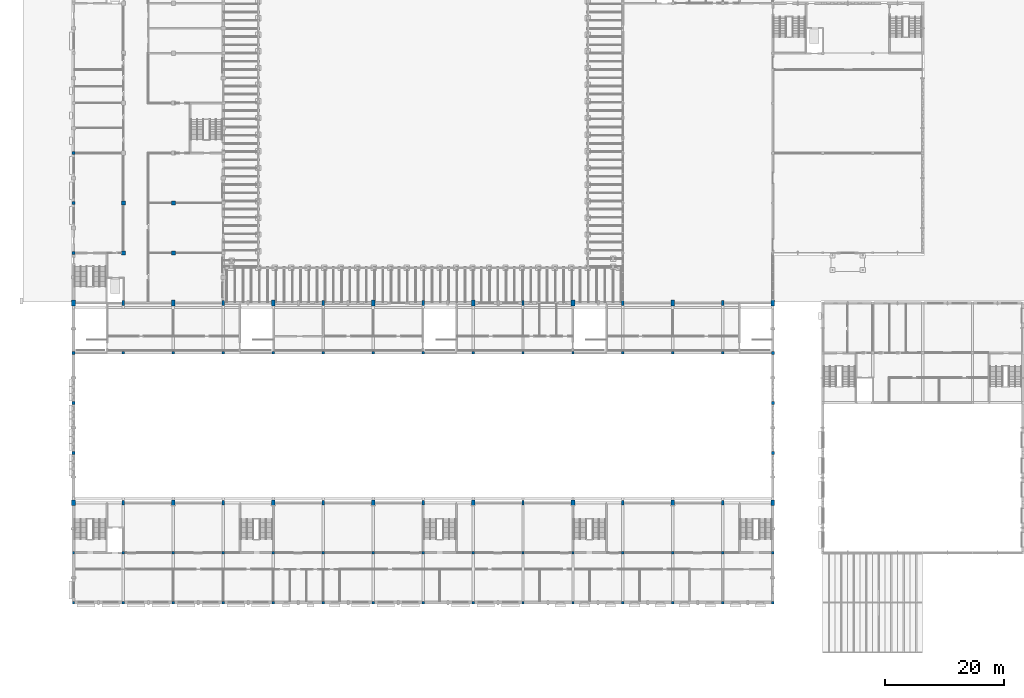
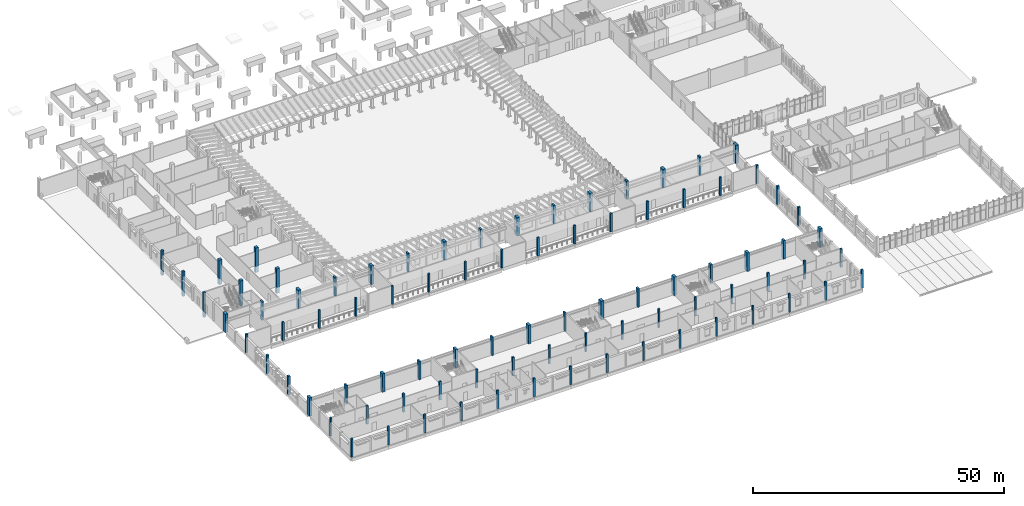
# One storey, part 3 of 60: 86 columns.
"""IFC4 building model written with IfcOpenShell, lengths in metres."""

from ifc_helpers import new_model, si_unit, direction, frame, origin, origin_2d, place, context, subcontext, project, spatial, rectangle, extrude, material, material_profile, profile_set, type_object, element, save


model = new_model("IFC4")

# Units and contexts
model_context = context("Model", 3, precision=1e-05, world=origin(), true_north=direction((0.0, 1.0)))
body_context = subcontext(model_context, "Body", "Model", "MODEL_VIEW")
ifc_project = project(units=[si_unit("LENGTHUNIT", "METRE"), si_unit("AREAUNIT", "SQUARE_METRE"), si_unit("VOLUMEUNIT", "CUBIC_METRE"), si_unit("PLANEANGLEUNIT", "RADIAN"), si_unit("MASSUNIT", "GRAM", prefix="KILO")], contexts=[model_context])

# Site, building, storey
site_placement = place(None, origin())
site = spatial("IfcSite", under=ifc_project, at=site_placement, CompositionType="ELEMENT")
building_placement = place(site_placement, origin())
building = spatial("IfcBuilding", under=site, at=building_placement, Name="Fescue Hill Polytechnic", CompositionType="ELEMENT")
storey_placement = place(building_placement, frame((0.0, 0.0, 4.5)))
storey = spatial("IfcBuildingStorey", under=building, at=storey_placement, Name="L01", CompositionType="ELEMENT", Elevation=4.5)

# Columns
ifc_material = material(Name="Concrete 40 MPa", Category="concrete")
ifc_material_profile_1 = material_profile(ifc_material, rectangle(XDim=0.39990234375, YDim=0.39990234375, at=origin_2d()), Name="RC 400x400")
ifc_profile_set_1 = profile_set([ifc_material_profile_1], Name="Concrete 40 MPa")
column_type_1 = type_object("IfcColumnType", Name="Column RC 400x400", PredefinedType="COLUMN", material=ifc_profile_set_1)
for number, where, z_axis, x_axis, name in (
    (1, (0.0, 0.0, 0.0), (0.0, 0.0, 1.0), (1.0, 0.0, 0.0), "COL-L01-V1-001"),
    (2, (0.0, 8.39990234375, 0.0), (0.0, 0.0, 1.0), (1.0, 0.0, 0.0), "COL-L01-V1-002"),
    (3, (8.39990234375, 0.0, 0.0), (0.0, 0.0, 1.0), (1.0, 0.0, 0.0), "COL-L01-V1-008"),
    (4, (8.39990234375, 8.39990234375, 0.0), (0.0, 0.0, 1.0), (1.0, 0.0, 0.0), "COL-L01-V1-009"),
    (5, (8.39990234375, 42.0, 0.0), (0.0, 0.0, 1.0), (1.0, 0.0, 0.0), "COL-L01-V1-011"),
    (6, (16.800048828125, 0.0, 0.0), (0.0, 0.0, 1.0), (1.0, 0.0, 0.0), "COL-L01-V1-013"),
    (7, (16.800048828125, 8.39990234375, 0.0), (0.0, 0.0, 1.0), (1.0, 0.0, 0.0), "COL-L01-V1-014"),
    (8, (16.800048828125, 42.0, 0.0), (0.0, 0.0, 1.0), (1.0, 0.0, 0.0), "COL-L01-V1-016"),
    (9, (25.199951171875, 0.0, 0.0), (0.0, 0.0, 1.0), (1.0, 0.0, 0.0), "COL-L01-V1-018"),
    (10, (25.199951171875, 8.39990234375, 0.0), (0.0, 0.0, 1.0), (1.0, 0.0, 0.0), "COL-L01-V1-019"),
    (11, (25.199951171875, 42.0, 0.0), (0.0, 0.0, 1.0), (1.0, 0.0, 0.0), "COL-L01-V1-021"),
    (12, (33.60009765625, 0.0, 0.0), (0.0, 0.0, 1.0), (1.0, 0.0, 0.0), "COL-L01-V1-023"),
    (13, (33.60009765625, 8.39990234375, 0.0), (0.0, 0.0, 1.0), (1.0, 0.0, 0.0), "COL-L01-V1-024"),
    (14, (33.60009765625, 42.0, 0.0), (0.0, 0.0, 1.0), (1.0, 0.0, 0.0), "COL-L01-V1-026"),
    (15, (42.0, 0.0, 0.0), (0.0, 0.0, 1.0), (1.0, 0.0, 0.0), "COL-L01-V1-028"),
    (16, (42.0, 8.39990234375, 0.0), (0.0, 0.0, 1.0), (1.0, 0.0, 0.0), "COL-L01-V1-029"),
    (17, (42.0, 42.0, 0.0), (0.0, 0.0, 1.0), (1.0, 0.0, 0.0), "COL-L01-V1-031"),
    (18, (50.39990234375, 0.0, 0.0), (0.0, 0.0, 1.0), (1.0, 0.0, 0.0), "COL-L01-V1-033"),
    (19, (50.39990234375, 8.39990234375, 0.0), (0.0, 0.0, 1.0), (1.0, 0.0, 0.0), "COL-L01-V1-034"),
    (20, (50.39990234375, 42.0, 0.0), (0.0, 0.0, 1.0), (1.0, 0.0, 0.0), "COL-L01-V1-036"),
    (21, (58.800048828125, 0.0, 0.0), (0.0, 0.0, 1.0), (1.0, 0.0, 0.0), "COL-L01-V1-038"),
    (22, (58.800048828125, 8.39990234375, 0.0), (0.0, 0.0, 1.0), (1.0, 0.0, 0.0), "COL-L01-V1-039"),
    (23, (58.800048828125, 42.0, 0.0), (0.0, 0.0, 1.0), (1.0, 0.0, 0.0), "COL-L01-V1-041"),
    (24, (67.199951171875, 0.0, 0.0), (0.0, 0.0, 1.0), (1.0, 0.0, 0.0), "COL-L01-V1-043"),
    (25, (67.199951171875, 8.39990234375, 0.0), (0.0, 0.0, 1.0), (1.0, 0.0, 0.0), "COL-L01-V1-044"),
    (26, (67.199951171875, 42.0, 0.0), (0.0, 0.0, 1.0), (1.0, 0.0, 0.0), "COL-L01-V1-046"),
    (27, (75.60009765625, 0.0, 0.0), (0.0, 0.0, 1.0), (1.0, 0.0, 0.0), "COL-L01-V1-048"),
    (28, (75.60009765625, 8.39990234375, 0.0), (0.0, 0.0, 1.0), (1.0, 0.0, 0.0), "COL-L01-V1-049"),
    (29, (75.60009765625, 42.0, 0.0), (0.0, 0.0, 1.0), (1.0, 0.0, 0.0), "COL-L01-V1-051"),
    (30, (84.0, 0.0, 0.0), (0.0, 0.0, 1.0), (1.0, 0.0, 0.0), "COL-L01-V1-053"),
    (31, (84.0, 8.39990234375, 0.0), (0.0, 0.0, 1.0), (1.0, 0.0, 0.0), "COL-L01-V1-054"),
    (32, (84.0, 42.0, 0.0), (0.0, 0.0, 1.0), (1.0, 0.0, 0.0), "COL-L01-V1-056"),
    (33, (92.39990234375, 0.0, 0.0), (0.0, 0.0, 1.0), (1.0, 0.0, 0.0), "COL-L01-V1-058"),
    (34, (92.39990234375, 8.39990234375, 0.0), (0.0, 0.0, 1.0), (1.0, 0.0, 0.0), "COL-L01-V1-059"),
    (35, (92.39990234375, 42.0, 0.0), (0.0, 0.0, 1.0), (1.0, 0.0, 0.0), "COL-L01-V1-061"),
    (36, (100.800048828125, 0.0, 0.0), (0.0, 0.0, 1.0), (1.0, 0.0, 0.0), "COL-L01-V1-063"),
    (37, (100.800048828125, 8.39990234375, 0.0), (0.0, 0.0, 1.0), (1.0, 0.0, 0.0), "COL-L01-V1-064"),
    (38, (100.800048828125, 42.0, 0.0), (0.0, 0.0, 1.0), (1.0, 0.0, 0.0), "COL-L01-V1-066"),
    (39, (109.199951171875, 0.0, 0.0), (0.0, 0.0, 1.0), (1.0, 0.0, 0.0), "COL-L01-V1-068"),
    (40, (109.199951171875, 8.39990234375, 0.0), (0.0, 0.0, 1.0), (1.0, 0.0, 0.0), "COL-L01-V1-069"),
    (41, (109.199951171875, 42.0, 0.0), (0.0, 0.0, 1.0), (1.0, 0.0, 0.0), "COL-L01-V1-071"),
    (42, (117.60009765625, 0.0, 0.0), (0.0, 0.0, 1.0), (1.0, 0.0, 0.0), "COL-L01-V1-073"),
    (43, (117.60009765625, 8.39990234375, 0.0), (0.0, 0.0, 1.0), (1.0, 0.0, 0.0), "COL-L01-V1-074"),
):
    element("IfcColumn", number, at=place(storey_placement, frame(where, z_axis=z_axis, x_axis=x_axis)), inside=storey, type_object=column_type_1, Name=name, PredefinedType="COLUMN", context=body_context, shape_type="SweptSolid", body=[
        extrude(rectangle(XDim=0.39990234375, YDim=0.39990234375, at=origin_2d()), origin(), (0.0, 0.0, 1.0), 4.5),
    ])
ifc_material_profile_2 = material_profile(ifc_material, rectangle(XDim=0.39990234375, YDim=0.800048828125, at=origin_2d()), Name="RC 400x800")
ifc_profile_set_2 = profile_set([ifc_material_profile_2], Name="Concrete 40 MPa")
column_type_2 = type_object("IfcColumnType", Name="Column RC 400x800", PredefinedType="COLUMN", material=ifc_profile_set_2)
for number, where, z_axis, x_axis, name in (
    (44, (8.39990234375, 16.800048828125, 0.0), (0.0, 0.0, 1.0), (1.0, 0.0, 0.0), "COL-L01-V1-010"),
    (45, (8.39990234375, 50.39990234375, 0.0), (0.0, 0.0, 1.0), (1.0, 0.0, 0.0), "COL-L01-V1-012"),
    (46, (25.199951171875, 16.800048828125, 0.0), (0.0, 0.0, 1.0), (1.0, 0.0, 0.0), "COL-L01-V1-020"),
    (47, (25.199951171875, 50.39990234375, 0.0), (0.0, 0.0, 1.0), (1.0, 0.0, 0.0), "COL-L01-V1-022"),
    (48, (42.0, 16.800048828125, 0.0), (0.0, 0.0, 1.0), (1.0, 0.0, 0.0), "COL-L01-V1-030"),
    (49, (42.0, 50.39990234375, 0.0), (0.0, 0.0, 1.0), (1.0, 0.0, 0.0), "COL-L01-V1-032"),
    (50, (58.800048828125, 16.800048828125, 0.0), (0.0, 0.0, 1.0), (1.0, 0.0, 0.0), "COL-L01-V1-040"),
    (51, (58.800048828125, 50.39990234375, 0.0), (0.0, 0.0, 1.0), (1.0, 0.0, 0.0), "COL-L01-V1-042"),
    (52, (75.60009765625, 16.800048828125, 0.0), (0.0, 0.0, 1.0), (1.0, 0.0, 0.0), "COL-L01-V1-050"),
    (53, (75.60009765625, 50.39990234375, 0.0), (0.0, 0.0, 1.0), (1.0, 0.0, 0.0), "COL-L01-V1-052"),
    (54, (92.39990234375, 16.800048828125, 0.0), (0.0, 0.0, 1.0), (1.0, 0.0, 0.0), "COL-L01-V1-060"),
    (55, (92.39990234375, 50.39990234375, 0.0), (0.0, 0.0, 1.0), (1.0, 0.0, 0.0), "COL-L01-V1-062"),
    (56, (109.199951171875, 16.800048828125, 0.0), (0.0, 0.0, 1.0), (1.0, 0.0, 0.0), "COL-L01-V1-070"),
    (57, (109.199951171875, 50.39990234375, 0.0), (0.0, 0.0, 1.0), (1.0, 0.0, 0.0), "COL-L01-V1-072"),
):
    element("IfcColumn", number, at=place(storey_placement, frame(where, z_axis=z_axis, x_axis=x_axis)), inside=storey, type_object=column_type_2, Name=name, PredefinedType="COLUMN", context=body_context, shape_type="SweptSolid", body=[
        extrude(rectangle(XDim=0.39990234375, YDim=0.800048828125, at=origin_2d()), origin(), (0.0, 0.0, 1.0), 4.5),
    ])
ifc_material_profile_3 = material_profile(ifc_material, rectangle(XDim=0.5, YDim=0.5, at=origin_2d()), Name="RC 500x500")
ifc_profile_set_3 = profile_set([ifc_material_profile_3], Name="Concrete 40 MPa")
column_type_3 = type_object("IfcColumnType", Name="Column RC 500x500", PredefinedType="COLUMN", material=ifc_profile_set_3)
for number, where, z_axis, x_axis, name in (
    (58, (0.0, 25.199951171875, 0.0), (0.0, 0.0, 1.0), (1.0, 0.0, 0.0), "COL-L01-V1-004"),
    (59, (0.0, 33.60009765625, 0.0), (0.0, 0.0, 1.0), (1.0, 0.0, 0.0), "COL-L01-V1-005"),
    (60, (0.0, 42.0, 0.0), (0.0, 0.0, 1.0), (1.0, 0.0, 0.0), "COL-L01-V1-006"),
    (61, (117.60009765625, 25.199951171875, 0.0), (0.0, 0.0, 1.0), (1.0, 0.0, 0.0), "COL-L01-V1-076"),
    (62, (117.60009765625, 33.60009765625, 0.0), (0.0, 0.0, 1.0), (1.0, 0.0, 0.0), "COL-L01-V1-077"),
    (63, (117.60009765625, 42.0, 0.0), (0.0, 0.0, 1.0), (1.0, 0.0, 0.0), "COL-L01-V1-078"),
):
    element("IfcColumn", number, at=place(storey_placement, frame(where, z_axis=z_axis, x_axis=x_axis)), inside=storey, type_object=column_type_3, Name=name, PredefinedType="COLUMN", context=body_context, shape_type="SweptSolid", body=[
        extrude(rectangle(XDim=0.5, YDim=0.5, at=origin_2d()), origin(), (0.0, 0.0, 1.0), 4.5),
    ])
for number, where, z_axis, x_axis, name in (
    (64, (0.0, 58.800048828125, -1.5), (0.0, 0.0, 1.0), (1.0, 0.0, 0.0), "COL-L01-V4-001"),
    (65, (0.0, 67.199951171875, -1.5), (0.0, 0.0, 1.0), (1.0, 0.0, 0.0), "COL-L01-V4-002"),
    (66, (0.0, 75.60009765625, -1.5), (0.0, 0.0, 1.0), (1.0, 0.0, 0.0), "COL-L01-V4-003"),
):
    element("IfcColumn", number, at=place(storey_placement, frame(where, z_axis=z_axis, x_axis=x_axis)), inside=storey, type_object=column_type_3, Name=name, PredefinedType="COLUMN", context=body_context, shape_type="SweptSolid", body=[
        extrude(rectangle(XDim=0.5, YDim=0.5, at=origin_2d()), origin(), (0.0, 0.0, 1.0), 6.0),
    ])
ifc_material_profile_4 = material_profile(ifc_material, rectangle(XDim=0.60009765625, YDim=1.0, at=origin_2d()), Name="RC 600x1000")
ifc_profile_set_4 = profile_set([ifc_material_profile_4], Name="Concrete 40 MPa")
column_type_4 = type_object("IfcColumnType", Name="Column RC 600x1000", PredefinedType="COLUMN", material=ifc_profile_set_4)
for number, where, z_axis, x_axis, name in (
    (67, (0.0, 16.800048828125, 0.0), (0.0, 0.0, 1.0), (1.0, 0.0, 0.0), "COL-L01-V1-003"),
    (68, (0.0, 50.39990234375, 0.0), (0.0, 0.0, 1.0), (1.0, 0.0, 0.0), "COL-L01-V1-007"),
    (69, (16.800048828125, 16.800048828125, 0.0), (0.0, 0.0, 1.0), (1.0, 0.0, 0.0), "COL-L01-V1-015"),
    (70, (16.800048828125, 50.39990234375, 0.0), (0.0, 0.0, 1.0), (1.0, 0.0, 0.0), "COL-L01-V1-017"),
    (71, (33.60009765625, 16.800048828125, 0.0), (0.0, 0.0, 1.0), (1.0, 0.0, 0.0), "COL-L01-V1-025"),
    (72, (33.60009765625, 50.39990234375, 0.0), (0.0, 0.0, 1.0), (1.0, 0.0, 0.0), "COL-L01-V1-027"),
    (73, (50.39990234375, 16.800048828125, 0.0), (0.0, 0.0, 1.0), (1.0, 0.0, 0.0), "COL-L01-V1-035"),
    (74, (50.39990234375, 50.39990234375, 0.0), (0.0, 0.0, 1.0), (1.0, 0.0, 0.0), "COL-L01-V1-037"),
    (75, (67.199951171875, 16.800048828125, 0.0), (0.0, 0.0, 1.0), (1.0, 0.0, 0.0), "COL-L01-V1-045"),
    (76, (67.199951171875, 50.39990234375, 0.0), (0.0, 0.0, 1.0), (1.0, 0.0, 0.0), "COL-L01-V1-047"),
    (77, (84.0, 16.800048828125, 0.0), (0.0, 0.0, 1.0), (1.0, 0.0, 0.0), "COL-L01-V1-055"),
    (78, (84.0, 50.39990234375, 0.0), (0.0, 0.0, 1.0), (1.0, 0.0, 0.0), "COL-L01-V1-057"),
    (79, (100.800048828125, 16.800048828125, 0.0), (0.0, 0.0, 1.0), (1.0, 0.0, 0.0), "COL-L01-V1-065"),
    (80, (100.800048828125, 50.39990234375, 0.0), (0.0, 0.0, 1.0), (1.0, 0.0, 0.0), "COL-L01-V1-067"),
    (81, (117.60009765625, 16.800048828125, 0.0), (0.0, 0.0, 1.0), (1.0, 0.0, 0.0), "COL-L01-V1-075"),
    (82, (117.60009765625, 50.39990234375, 0.0), (0.0, 0.0, 1.0), (1.0, 0.0, 0.0), "COL-L01-V1-079"),
):
    element("IfcColumn", number, at=place(storey_placement, frame(where, z_axis=z_axis, x_axis=x_axis)), inside=storey, type_object=column_type_4, Name=name, PredefinedType="COLUMN", context=body_context, shape_type="SweptSolid", body=[
        extrude(rectangle(XDim=0.60009765625, YDim=1.0, at=origin_2d()), origin(), (0.0, 0.0, 1.0), 4.5),
    ])
ifc_material_profile_5 = material_profile(ifc_material, rectangle(XDim=0.699951171875, YDim=0.699951171875, at=origin_2d()), Name="RC 700x700")
ifc_profile_set_5 = profile_set([ifc_material_profile_5], Name="Concrete 40 MPa")
column_type_5 = type_object("IfcColumnType", Name="Column RC 700x700", PredefinedType="COLUMN", material=ifc_profile_set_5)
for number, where, z_axis, x_axis, name in (
    (83, (8.39990234375, 58.800048828125, -1.5), (0.0, 0.0, 1.0), (1.0, 0.0, 0.0), "COL-L01-V4-008"),
    (84, (8.39990234375, 67.199951171875, -1.5), (0.0, 0.0, 1.0), (1.0, 0.0, 0.0), "COL-L01-V4-009"),
    (85, (16.800048828125, 58.800048828125, -1.5), (0.0, 0.0, 1.0), (1.0, 0.0, 0.0), "COL-L01-V4-015"),
    (86, (16.800048828125, 67.199951171875, -1.5), (0.0, 0.0, 1.0), (1.0, 0.0, 0.0), "COL-L01-V4-016"),
):
    element("IfcColumn", number, at=place(storey_placement, frame(where, z_axis=z_axis, x_axis=x_axis)), inside=storey, type_object=column_type_5, Name=name, PredefinedType="COLUMN", context=body_context, shape_type="SweptSolid", body=[
        extrude(rectangle(XDim=0.699951171875, YDim=0.699951171875, at=origin_2d()), origin(), (0.0, 0.0, 1.0), 6.0),
    ])

save(model, "model.ifc")
